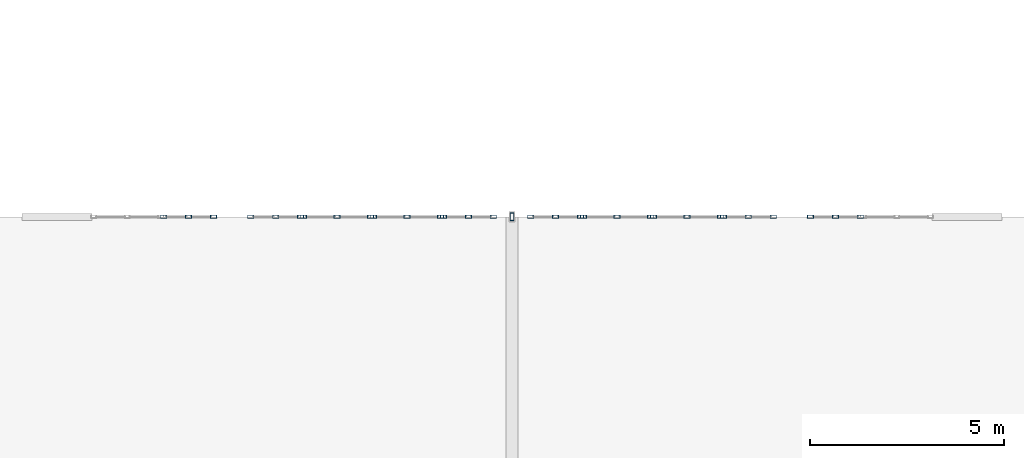
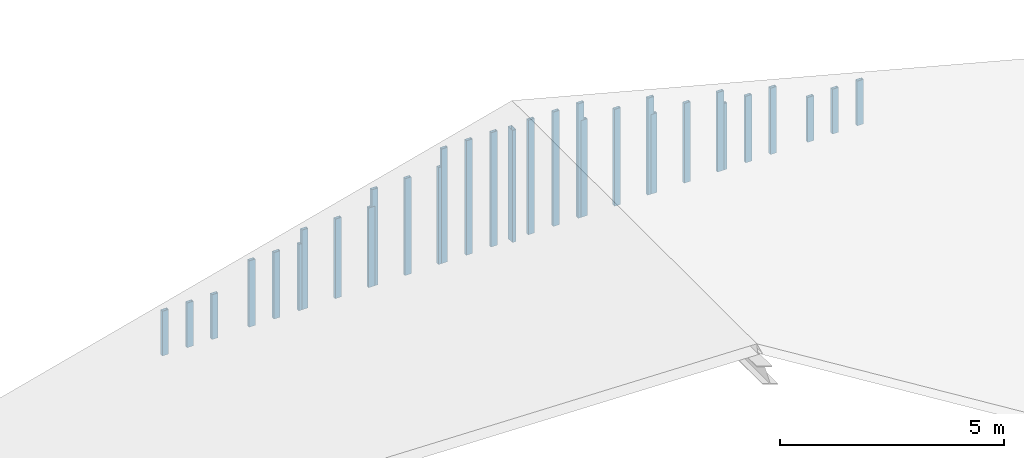
# One storey, part 14 of 76: 31 members, 10 elements without a shape of their own.
"""IFC4 building model written with IfcOpenShell, lengths in metres."""

import ifcopenshell
import ifcopenshell.guid

model = None  # the IFC model being written
_history = None  # IfcOwnerHistory: only IFC2X3 demands one
_inside = {}  # id of a spatial element -> (the spatial element, [elements in it])
_under = {}  # id of a project, library or spatial element -> (it, [spatial elements below it])
_declared = {}  # id of a project -> (the project, [libraries it declares])
_typed = {}  # id of a type object -> (the type object, [elements of that type])
_made_of = {}  # id of a material, layer set ... -> (it, [elements and type objects made of it])


def new_model(schema):
    """Start an empty IFC model of exactly this schema.

    Asked for "IFC4X3", IfcOpenShell would pick the latest addendum, in which some entities
    have other attributes; the version numbers below select the first issue.
    IFC2X3 requires an IfcOwnerHistory on every rooted entity: one is made here for all.
    """
    global model, _history
    if schema == "IFC4X3":
        model = ifcopenshell.file(schema_version=(4, 3, 0, 0))
    else:
        model = ifcopenshell.file(schema=schema)
    _inside.clear()
    _under.clear()
    _declared.clear()
    _typed.clear()
    _made_of.clear()
    _history = None
    if model.schema == "IFC2X3":
        org = make("IfcOrganization", Name="unknown")
        user = make(
            "IfcPersonAndOrganization",
            ThePerson=make("IfcPerson", FamilyName="unknown"),
            TheOrganization=org,
        )
        app = make(
            "IfcApplication",
            ApplicationDeveloper=org,
            Version="unknown",
            ApplicationFullName="unknown",
            ApplicationIdentifier="unknown",
        )
        _history = make(
            "IfcOwnerHistory",
            OwningUser=user,
            OwningApplication=app,
            ChangeAction="ADDED",
            CreationDate=0,
        )
    return model


def make(cls, **values):
    """One entity of the class cls with the attributes given. An attribute that is None is left unset."""
    return model.create_entity(
        cls, **{name: value for name, value in values.items() if value is not None}
    )


def rooted(cls, **values):
    """An entity with a GlobalId (a new one), such as an element, a storey or a relation."""
    return make(cls, GlobalId=ifcopenshell.guid.new(), OwnerHistory=_history, **values)


def si_unit(unit_type, name, prefix=None):
    """IfcSIUnit, for example si_unit("LENGTHUNIT", "METRE", prefix="MILLI")."""
    return make("IfcSIUnit", UnitType=unit_type, Prefix=prefix, Name=name)


def assignment(units):
    """IfcUnitAssignment: the units of a project."""
    return None if units is None else make("IfcUnitAssignment", Units=units)


def point(xyz):
    """IfcCartesianPoint."""
    return None if xyz is None else make("IfcCartesianPoint", Coordinates=xyz)


def direction(xyz):
    """IfcDirection."""
    return None if xyz is None else make("IfcDirection", DirectionRatios=xyz)


def frame(location, z_axis=None, x_axis=None):
    """IfcAxis2Placement3D, a coordinate frame: its origin and axes. An axis left out is left unset."""
    return make(
        "IfcAxis2Placement3D",
        Location=point(location),
        Axis=direction(z_axis),
        RefDirection=direction(x_axis),
    )


def frame_2d(location, x_axis=None):
    """IfcAxis2Placement2D, a coordinate frame in the plane: its origin and x axis."""
    return make(
        "IfcAxis2Placement2D", Location=point(location), RefDirection=direction(x_axis)
    )


def origin():
    """The frame at (0, 0, 0) with its axes left unset."""
    return frame((0.0, 0.0, 0.0))


def origin_2d():
    """The frame at (0, 0) in the plane with its x axis left unset."""
    return frame_2d((0.0, 0.0))


def place(relative_to, where):
    """IfcLocalPlacement: puts the frame where relative to a parent placement (None: the world)."""
    return make(
        "IfcLocalPlacement", PlacementRelTo=relative_to, RelativePlacement=where
    )


def context(
    kind, dimensions, precision=None, world=None, true_north=None, identifier=None
):
    """IfcGeometricRepresentationContext, for example the 3D "Model" context."""
    return make(
        "IfcGeometricRepresentationContext",
        ContextIdentifier=identifier,
        ContextType=kind,
        CoordinateSpaceDimension=dimensions,
        Precision=precision,
        WorldCoordinateSystem=world,
        TrueNorth=true_north,
    )


def subcontext(parent, identifier, kind, view, scale=None):
    """IfcGeometricRepresentationSubContext, for example "Body" below "Model"."""
    return make(
        "IfcGeometricRepresentationSubContext",
        ContextIdentifier=identifier,
        ContextType=kind,
        ParentContext=parent,
        TargetScale=scale,
        TargetView=view,
    )


def project(units=None, contexts=None):
    """IfcProject with its units and contexts."""
    return rooted(
        "IfcProject",
        Name="project",
        RepresentationContexts=contexts,
        UnitsInContext=assignment(units),
    )


def spatial(cls, under=None, at=None, **own):
    """A site, building, storey or space (cls), placed at a placement, below another one or the project."""
    s = rooted(cls, ObjectPlacement=at, **own)
    if under is not None:
        _under.setdefault(under.id(), (under, []))[1].append(s)
    return s


def profile(cls, at=None, kind="AREA", **sizes):
    """A parametric profile (cls). Its sizes go by their IFC names, for example OverallWidth=200.0."""
    return make(cls, ProfileType=kind, Position=at, **sizes)


def hollow_rectangle(**sizes):
    """IfcRectangleHollowProfileDef."""
    return profile("IfcRectangleHollowProfileDef", **sizes)


def extrude(swept, where, along, depth):
    """IfcExtrudedAreaSolid: the profile swept, set in the frame where, extruded along a direction by depth."""
    return make(
        "IfcExtrudedAreaSolid",
        SweptArea=swept,
        Position=where,
        ExtrudedDirection=direction(along),
        Depth=depth,
    )


def shape(context_of_items, identifier, shape_type, items):
    """IfcShapeRepresentation: the items that make up one representation, for example the "Body"."""
    return make(
        "IfcShapeRepresentation",
        ContextOfItems=context_of_items,
        RepresentationIdentifier=identifier,
        RepresentationType=shape_type,
        Items=items,
    )


def material(Name=None, Category=None):
    """IfcMaterial."""
    return make("IfcMaterial", Name=Name, Category=Category)


def layer(
    of_material, thickness, ventilated=None, Name=None, Category=None, Priority=None
):
    """IfcMaterialLayer: one layer of a wall or slab, of a material (None: an air gap)."""
    return make(
        "IfcMaterialLayer",
        Material=of_material,
        LayerThickness=thickness,
        IsVentilated=ventilated,
        Name=Name,
        Category=Category,
        Priority=Priority,
    )


def layer_set(layers, Name=None):
    """IfcMaterialLayerSet."""
    return make("IfcMaterialLayerSet", MaterialLayers=layers, LayerSetName=Name)


def material_profile(
    of_material, cross_section, Name=None, Category=None, Priority=None
):
    """IfcMaterialProfile: a cross section and its material."""
    return make(
        "IfcMaterialProfile",
        Name=Name,
        Material=of_material,
        Profile=cross_section,
        Priority=Priority,
        Category=Category,
    )


def profile_set(profiles, Name=None, composite=None):
    """IfcMaterialProfileSet."""
    return make(
        "IfcMaterialProfileSet",
        Name=Name,
        MaterialProfiles=profiles,
        CompositeProfile=composite,
    )


def made_of(thing, what):
    """Note that an element or type object is made of a material, layer set ...; save() writes the relation."""
    if what is not None:
        _made_of.setdefault(what.id(), (what, []))[1].append(thing)
    return thing


def type_object(cls, material=None, **own):
    """A type object (cls), such as IfcWallType, which elements share."""
    return made_of(rooted(cls, **own), material)


def element(
    cls,
    number,
    at=None,
    inside=None,
    cuts=None,
    type_object=None,
    material=None,
    context=None,
    identifier="Body",
    shape_type=None,
    held_by="IfcProductDefinitionShape",
    body=None,
    shapes=None,
    **own,
):
    """One element of the class cls, such as IfcWall. Its Tag is "e" and its number.

    at: its placement. inside: the storey or other place that contains it. cuts: it is an
    opening in that element (IfcRelVoidsElement). A single representation is given by context,
    identifier, shape_type and body (its items); several are given by shapes. held_by: the class
    of the entity that holds the representations. save() writes the other relations.
    """
    e = rooted(cls, Tag="e%d" % number, ObjectPlacement=at, **own)
    if body is not None:
        shapes = [shape(context, identifier, shape_type, body)]
    if shapes is not None:
        e.Representation = make(held_by, Representations=shapes)
    if inside is not None:
        _inside.setdefault(inside.id(), (inside, []))[1].append(e)
    if cuts is not None:
        rooted(
            "IfcRelVoidsElement", RelatingBuildingElement=cuts, RelatedOpeningElement=e
        )
    if type_object is not None:
        _typed.setdefault(type_object.id(), (type_object, []))[1].append(e)
    return made_of(e, material)


def aggregate(whole, parts):
    """IfcRelAggregates: a whole, such as a stair, and the parts it consists of."""
    return rooted("IfcRelAggregates", RelatingObject=whole, RelatedObjects=parts)


def save(model, path):
    """Write the relations noted so far, then the file.

    IfcRelAggregates (storeys below a building ...), IfcRelContainedInSpatialStructure (elements
    in a storey), IfcRelDefinesByType, IfcRelAssociatesMaterial and IfcRelDeclares: one each for
    every whole, place, type object, material and project.
    """
    for whole, parts in _under.values():
        aggregate(whole, parts)
    for where, things in _inside.values():
        rooted(
            "IfcRelContainedInSpatialStructure",
            RelatedElements=things,
            RelatingStructure=where,
        )
    for kind, things in _typed.values():
        rooted("IfcRelDefinesByType", RelatedObjects=things, RelatingType=kind)
    for what, things in _made_of.values():
        rooted("IfcRelAssociatesMaterial", RelatedObjects=things, RelatingMaterial=what)
    for by, libraries in _declared.values():
        rooted("IfcRelDeclares", RelatingContext=by, RelatedDefinitions=libraries)
    model.write(path)


model = new_model("IFC4")

# Units and contexts
model_context = context("Model", 3, precision=1e-05, world=origin(), true_north=direction((0.0, 1.0)))
body_context = subcontext(model_context, "Body", "Model", "MODEL_VIEW")
ifc_project = project(units=[si_unit("LENGTHUNIT", "METRE"), si_unit("AREAUNIT", "SQUARE_METRE"), si_unit("VOLUMEUNIT", "CUBIC_METRE"), si_unit("PLANEANGLEUNIT", "RADIAN"), si_unit("MASSUNIT", "GRAM", prefix="KILO"), si_unit("THERMODYNAMICTEMPERATUREUNIT", "KELVIN"), si_unit("POWERUNIT", "WATT")], contexts=[model_context])

# Site, building, storey
site_placement = place(None, origin())
site = spatial("IfcSite", under=ifc_project, at=site_placement, CompositionType="ELEMENT")
building_placement = place(site_placement, origin())
building = spatial("IfcBuilding", under=site, at=building_placement, Name="Kaldorven Railside Theatre", CompositionType="ELEMENT")
storey_placement = place(building_placement, frame((0.0, 0.0, 14.39990234375)))
storey = spatial("IfcBuildingStorey", under=building, at=storey_placement, Name="L03", CompositionType="ELEMENT", Elevation=14.39990234375)

# Curtain wall, members
ifc_material_1 = material(Name="Low-E laminated solar-control glass", Category="glass")
ifc_layer_1 = layer(ifc_material_1, 0.159912109375, Name="Low-E laminated solar-control glass")
ifc_layer_set_1 = layer_set([ifc_layer_1], Name="Low-E laminated solar-control glass")
curtain_wall_type_1 = type_object("IfcCurtainWallType", Name="CWT-61", PredefinedType="USERDEFINED", material=ifc_layer_set_1)
curtain_wall_1_placement = place(storey_placement, origin())
curtain_wall_1 = element("IfcCurtainWall", 1, at=curtain_wall_1_placement, inside=storey, type_object=curtain_wall_type_1, Name="Studio North Gable Clerestory CWG-127", ObjectType="FLUTED GLAZING", PredefinedType="USERDEFINED")
ifc_material_2 = material(Name="Anodised bronze aluminium", Category="aluminium")
ifc_material_profile_1 = material_profile(ifc_material_2, hollow_rectangle(XDim=0.080078125, YDim=0.159912109375, WallThickness=0.00634765625, at=origin_2d()), Name="RHS 160x80x6.3")
ifc_profile_set_1 = profile_set([ifc_material_profile_1], Name="Anodised bronze aluminium")
member_type_1 = type_object("IfcMemberType", Name="CWM-160", PredefinedType="MULLION", material=ifc_profile_set_1)
member_1_placement = place(storey_placement, frame((13.43994140625, 48.0, 0.02001953125), z_axis=(0.0, 0.0, 1.0), x_axis=(0.0, 1.0, 0.0)))
member_1 = element("IfcMember", 2, at=member_1_placement, type_object=member_type_1, Name="CWG-127 mullion 1", PredefinedType="MULLION", context=body_context, shape_type="SweptSolid", body=[
    extrude(hollow_rectangle(XDim=0.080078125, YDim=0.159912109375, WallThickness=0.00634765625, at=origin_2d()), origin(), (0.0, 0.0, 1.0), 1.219970703125),
])
member_2_placement = place(storey_placement, frame((14.080078125, 48.0, 0.02001953125), z_axis=(0.0, 0.0, 1.0), x_axis=(0.0, 1.0, 0.0)))
member_2 = element("IfcMember", 3, at=member_2_placement, type_object=member_type_1, Name="CWG-127 mullion 2", PredefinedType="MULLION", context=body_context, shape_type="SweptSolid", body=[
    extrude(hollow_rectangle(XDim=0.080078125, YDim=0.159912109375, WallThickness=0.00634765625, at=origin_2d()), origin(), (0.0, 0.0, 1.0), 1.219970703125),
])
member_3_placement = place(storey_placement, frame((14.719970703125, 48.0, 0.02001953125), z_axis=(0.0, 0.0, 1.0), x_axis=(0.0, 1.0, 0.0)))
member_3 = element("IfcMember", 4, at=member_3_placement, type_object=member_type_1, Name="CWG-127 mullion 3", PredefinedType="MULLION", context=body_context, shape_type="SweptSolid", body=[
    extrude(hollow_rectangle(XDim=0.080078125, YDim=0.159912109375, WallThickness=0.00634765625, at=origin_2d()), origin(), (0.0, 0.0, 1.0), 1.219970703125),
])
aggregate(curtain_wall_1, [member_1, member_2, member_3])

ifc_layer_2 = layer(ifc_material_1, 0.159912109375, Name="Low-E laminated solar-control glass")
ifc_layer_set_2 = layer_set([ifc_layer_2], Name="Low-E laminated solar-control glass")
curtain_wall_type_2 = type_object("IfcCurtainWallType", Name="CWT-62", PredefinedType="USERDEFINED", material=ifc_layer_set_2)
curtain_wall_2_placement = place(storey_placement, origin())
curtain_wall_2 = element("IfcCurtainWall", 5, at=curtain_wall_2_placement, inside=storey, type_object=curtain_wall_type_2, Name="Studio North Gable Clerestory CWG-128", ObjectType="FLUTED GLAZING", PredefinedType="USERDEFINED")
member_4_placement = place(storey_placement, frame((15.679931640625, 48.0, 0.02001953125), z_axis=(0.0, 0.0, 1.0), x_axis=(0.0, 1.0, 0.0)))
member_4 = element("IfcMember", 6, at=member_4_placement, type_object=member_type_1, Name="CWG-128 mullion 1", PredefinedType="MULLION", context=body_context, shape_type="SweptSolid", body=[
    extrude(hollow_rectangle(XDim=0.080078125, YDim=0.159912109375, WallThickness=0.00634765625, at=origin_2d()), origin(), (0.0, 0.0, 1.0), 1.81005859375),
])
member_5_placement = place(storey_placement, frame((16.320068359375, 48.0, 0.02001953125), z_axis=(0.0, 0.0, 1.0), x_axis=(0.0, 1.0, 0.0)))
member_5 = element("IfcMember", 7, at=member_5_placement, type_object=member_type_1, Name="CWG-128 mullion 2", PredefinedType="MULLION", context=body_context, shape_type="SweptSolid", body=[
    extrude(hollow_rectangle(XDim=0.080078125, YDim=0.159912109375, WallThickness=0.00634765625, at=origin_2d()), origin(), (0.0, 0.0, 1.0), 1.81005859375),
])
member_6_placement = place(storey_placement, frame((16.9599609375, 48.0, 0.02001953125), z_axis=(0.0, 0.0, 1.0), x_axis=(0.0, 1.0, 0.0)))
member_6 = element("IfcMember", 8, at=member_6_placement, type_object=member_type_1, Name="CWG-128 mullion 3", PredefinedType="MULLION", context=body_context, shape_type="SweptSolid", body=[
    extrude(hollow_rectangle(XDim=0.080078125, YDim=0.159912109375, WallThickness=0.00634765625, at=origin_2d()), origin(), (0.0, 0.0, 1.0), 1.81005859375),
])
aggregate(curtain_wall_2, [member_4, member_5, member_6])

ifc_layer_3 = layer(ifc_material_1, 0.159912109375, Name="Low-E laminated solar-control glass")
ifc_layer_set_3 = layer_set([ifc_layer_3], Name="Low-E laminated solar-control glass")
curtain_wall_type_3 = type_object("IfcCurtainWallType", Name="CWT-63", PredefinedType="USERDEFINED", material=ifc_layer_set_3)
curtain_wall_3_placement = place(storey_placement, origin())
curtain_wall_3 = element("IfcCurtainWall", 9, at=curtain_wall_3_placement, inside=storey, type_object=curtain_wall_type_3, Name="Studio North Gable Clerestory CWG-129", ObjectType="FLUTED GLAZING", PredefinedType="USERDEFINED")
member_7_placement = place(storey_placement, frame((17.0400390625, 48.0, 0.02001953125), z_axis=(0.0, 0.0, 1.0), x_axis=(0.0, 1.0, 0.0)))
member_7 = element("IfcMember", 10, at=member_7_placement, type_object=member_type_1, Name="CWG-129 mullion 1", PredefinedType="MULLION", context=body_context, shape_type="SweptSolid", body=[
    extrude(hollow_rectangle(XDim=0.080078125, YDim=0.159912109375, WallThickness=0.00634765625, at=origin_2d()), origin(), (0.0, 0.0, 1.0), 2.170166015625),
])
member_8_placement = place(storey_placement, frame((17.89990234375, 48.0, 0.02001953125), z_axis=(0.0, 0.0, 1.0), x_axis=(0.0, 1.0, 0.0)))
member_8 = element("IfcMember", 11, at=member_8_placement, type_object=member_type_1, Name="CWG-129 mullion 2", PredefinedType="MULLION", context=body_context, shape_type="SweptSolid", body=[
    extrude(hollow_rectangle(XDim=0.080078125, YDim=0.159912109375, WallThickness=0.00634765625, at=origin_2d()), origin(), (0.0, 0.0, 1.0), 2.170166015625),
])
member_9_placement = place(storey_placement, frame((18.760009765625, 48.0, 0.02001953125), z_axis=(0.0, 0.0, 1.0), x_axis=(0.0, 1.0, 0.0)))
member_9 = element("IfcMember", 12, at=member_9_placement, type_object=member_type_1, Name="CWG-129 mullion 3", PredefinedType="MULLION", context=body_context, shape_type="SweptSolid", body=[
    extrude(hollow_rectangle(XDim=0.080078125, YDim=0.159912109375, WallThickness=0.00634765625, at=origin_2d()), origin(), (0.0, 0.0, 1.0), 2.170166015625),
])
aggregate(curtain_wall_3, [member_7, member_8, member_9])

ifc_layer_4 = layer(ifc_material_1, 0.159912109375, Name="Low-E laminated solar-control glass")
ifc_layer_set_4 = layer_set([ifc_layer_4], Name="Low-E laminated solar-control glass")
curtain_wall_type_4 = type_object("IfcCurtainWallType", Name="CWT-64", PredefinedType="USERDEFINED", material=ifc_layer_set_4)
curtain_wall_4_placement = place(storey_placement, origin())
curtain_wall_4 = element("IfcCurtainWall", 13, at=curtain_wall_4_placement, inside=storey, type_object=curtain_wall_type_4, Name="Studio North Gable Clerestory CWG-130", ObjectType="FLUTED GLAZING", PredefinedType="USERDEFINED")
member_10_placement = place(storey_placement, frame((18.840087890625, 48.0, 0.02001953125), z_axis=(0.0, 0.0, 1.0), x_axis=(0.0, 1.0, 0.0)))
member_10 = element("IfcMember", 14, at=member_10_placement, type_object=member_type_1, Name="CWG-130 mullion 1", PredefinedType="MULLION", context=body_context, shape_type="SweptSolid", body=[
    extrude(hollow_rectangle(XDim=0.080078125, YDim=0.159912109375, WallThickness=0.00634765625, at=origin_2d()), origin(), (0.0, 0.0, 1.0), 2.64013671875),
])
member_11_placement = place(storey_placement, frame((19.699951171875, 48.0, 0.02001953125), z_axis=(0.0, 0.0, 1.0), x_axis=(0.0, 1.0, 0.0)))
member_11 = element("IfcMember", 15, at=member_11_placement, type_object=member_type_1, Name="CWG-130 mullion 2", PredefinedType="MULLION", context=body_context, shape_type="SweptSolid", body=[
    extrude(hollow_rectangle(XDim=0.080078125, YDim=0.159912109375, WallThickness=0.00634765625, at=origin_2d()), origin(), (0.0, 0.0, 1.0), 2.64013671875),
])
member_12_placement = place(storey_placement, frame((20.56005859375, 48.0, 0.02001953125), z_axis=(0.0, 0.0, 1.0), x_axis=(0.0, 1.0, 0.0)))
member_12 = element("IfcMember", 16, at=member_12_placement, type_object=member_type_1, Name="CWG-130 mullion 3", PredefinedType="MULLION", context=body_context, shape_type="SweptSolid", body=[
    extrude(hollow_rectangle(XDim=0.080078125, YDim=0.159912109375, WallThickness=0.00634765625, at=origin_2d()), origin(), (0.0, 0.0, 1.0), 2.64013671875),
])
aggregate(curtain_wall_4, [member_10, member_11, member_12])

ifc_layer_5 = layer(ifc_material_1, 0.159912109375, Name="Low-E laminated solar-control glass")
ifc_layer_set_5 = layer_set([ifc_layer_5], Name="Low-E laminated solar-control glass")
curtain_wall_type_5 = type_object("IfcCurtainWallType", Name="CWT-66", PredefinedType="USERDEFINED", material=ifc_layer_set_5)
curtain_wall_5_placement = place(storey_placement, origin())
curtain_wall_5 = element("IfcCurtainWall", 17, at=curtain_wall_5_placement, inside=storey, type_object=curtain_wall_type_5, Name="Studio North Gable Clerestory CWG-131", ObjectType="FLUTED GLAZING", PredefinedType="USERDEFINED")
member_13_placement = place(storey_placement, frame((20.639892578125, 48.0, 0.02001953125), z_axis=(0.0, 0.0, 1.0), x_axis=(0.0, 1.0, 0.0)))
member_13 = element("IfcMember", 18, at=member_13_placement, type_object=member_type_1, Name="CWG-131 mullion 1", PredefinedType="MULLION", context=body_context, shape_type="SweptSolid", body=[
    extrude(hollow_rectangle(XDim=0.080078125, YDim=0.159912109375, WallThickness=0.00634765625, at=origin_2d()), origin(), (0.0, 0.0, 1.0), 3.1201171875),
])
member_14_placement = place(storey_placement, frame((21.280029296875, 48.0, 0.02001953125), z_axis=(0.0, 0.0, 1.0), x_axis=(0.0, 1.0, 0.0)))
member_14 = element("IfcMember", 19, at=member_14_placement, type_object=member_type_1, Name="CWG-131 mullion 2", PredefinedType="MULLION", context=body_context, shape_type="SweptSolid", body=[
    extrude(hollow_rectangle(XDim=0.080078125, YDim=0.159912109375, WallThickness=0.00634765625, at=origin_2d()), origin(), (0.0, 0.0, 1.0), 3.1201171875),
])
member_15_placement = place(storey_placement, frame((21.919921875, 48.0, 0.02001953125), z_axis=(0.0, 0.0, 1.0), x_axis=(0.0, 1.0, 0.0)))
member_15 = element("IfcMember", 20, at=member_15_placement, type_object=member_type_1, Name="CWG-131 mullion 3", PredefinedType="MULLION", context=body_context, shape_type="SweptSolid", body=[
    extrude(hollow_rectangle(XDim=0.080078125, YDim=0.159912109375, WallThickness=0.00634765625, at=origin_2d()), origin(), (0.0, 0.0, 1.0), 3.1201171875),
])
aggregate(curtain_wall_5, [member_13, member_14, member_15])

curtain_wall_6_placement = place(storey_placement, origin())
curtain_wall_6 = element("IfcCurtainWall", 21, at=curtain_wall_6_placement, inside=storey, type_object=curtain_wall_type_5, Name="Studio North Gable Clerestory CWG-132", ObjectType="FLUTED GLAZING", PredefinedType="USERDEFINED")
member_16_placement = place(storey_placement, frame((22.8798828125, 48.0, 0.02001953125), z_axis=(0.0, 0.0, 1.0), x_axis=(0.0, 1.0, 0.0)))
member_16 = element("IfcMember", 22, at=member_16_placement, type_object=member_type_1, Name="CWG-132 mullion 1", PredefinedType="MULLION", context=body_context, shape_type="SweptSolid", body=[
    extrude(hollow_rectangle(XDim=0.080078125, YDim=0.159912109375, WallThickness=0.00634765625, at=origin_2d()), origin(), (0.0, 0.0, 1.0), 3.1201171875),
])
member_17_placement = place(storey_placement, frame((23.52001953125, 48.0, 0.02001953125), z_axis=(0.0, 0.0, 1.0), x_axis=(0.0, 1.0, 0.0)))
member_17 = element("IfcMember", 23, at=member_17_placement, type_object=member_type_1, Name="CWG-132 mullion 2", PredefinedType="MULLION", context=body_context, shape_type="SweptSolid", body=[
    extrude(hollow_rectangle(XDim=0.080078125, YDim=0.159912109375, WallThickness=0.00634765625, at=origin_2d()), origin(), (0.0, 0.0, 1.0), 3.1201171875),
])
member_18_placement = place(storey_placement, frame((24.159912109375, 48.0, 0.02001953125), z_axis=(0.0, 0.0, 1.0), x_axis=(0.0, 1.0, 0.0)))
member_18 = element("IfcMember", 24, at=member_18_placement, type_object=member_type_1, Name="CWG-132 mullion 3", PredefinedType="MULLION", context=body_context, shape_type="SweptSolid", body=[
    extrude(hollow_rectangle(XDim=0.080078125, YDim=0.159912109375, WallThickness=0.00634765625, at=origin_2d()), origin(), (0.0, 0.0, 1.0), 3.1201171875),
])
aggregate(curtain_wall_6, [member_16, member_17, member_18])

curtain_wall_7_placement = place(storey_placement, origin())
curtain_wall_7 = element("IfcCurtainWall", 25, at=curtain_wall_7_placement, inside=storey, type_object=curtain_wall_type_4, Name="Studio North Gable Clerestory CWG-133", ObjectType="FLUTED GLAZING", PredefinedType="USERDEFINED")
member_19_placement = place(storey_placement, frame((24.239990234375, 48.0, 0.02001953125), z_axis=(0.0, 0.0, 1.0), x_axis=(0.0, 1.0, 0.0)))
member_19 = element("IfcMember", 26, at=member_19_placement, type_object=member_type_1, Name="CWG-133 mullion 1", PredefinedType="MULLION", context=body_context, shape_type="SweptSolid", body=[
    extrude(hollow_rectangle(XDim=0.080078125, YDim=0.159912109375, WallThickness=0.00634765625, at=origin_2d()), origin(), (0.0, 0.0, 1.0), 2.64013671875),
])
member_20_placement = place(storey_placement, frame((25.10009765625, 48.0, 0.02001953125), z_axis=(0.0, 0.0, 1.0), x_axis=(0.0, 1.0, 0.0)))
member_20 = element("IfcMember", 27, at=member_20_placement, type_object=member_type_1, Name="CWG-133 mullion 2", PredefinedType="MULLION", context=body_context, shape_type="SweptSolid", body=[
    extrude(hollow_rectangle(XDim=0.080078125, YDim=0.159912109375, WallThickness=0.00634765625, at=origin_2d()), origin(), (0.0, 0.0, 1.0), 2.64013671875),
])
member_21_placement = place(storey_placement, frame((25.9599609375, 48.0, 0.02001953125), z_axis=(0.0, 0.0, 1.0), x_axis=(0.0, 1.0, 0.0)))
member_21 = element("IfcMember", 28, at=member_21_placement, type_object=member_type_1, Name="CWG-133 mullion 3", PredefinedType="MULLION", context=body_context, shape_type="SweptSolid", body=[
    extrude(hollow_rectangle(XDim=0.080078125, YDim=0.159912109375, WallThickness=0.00634765625, at=origin_2d()), origin(), (0.0, 0.0, 1.0), 2.64013671875),
])
aggregate(curtain_wall_7, [member_19, member_20, member_21])

curtain_wall_8_placement = place(storey_placement, origin())
curtain_wall_8 = element("IfcCurtainWall", 29, at=curtain_wall_8_placement, inside=storey, type_object=curtain_wall_type_3, Name="Studio North Gable Clerestory CWG-134", ObjectType="FLUTED GLAZING", PredefinedType="USERDEFINED")
member_22_placement = place(storey_placement, frame((26.0400390625, 48.0, 0.02001953125), z_axis=(0.0, 0.0, 1.0), x_axis=(0.0, 1.0, 0.0)))
member_22 = element("IfcMember", 30, at=member_22_placement, type_object=member_type_1, Name="CWG-134 mullion 1", PredefinedType="MULLION", context=body_context, shape_type="SweptSolid", body=[
    extrude(hollow_rectangle(XDim=0.080078125, YDim=0.159912109375, WallThickness=0.00634765625, at=origin_2d()), origin(), (0.0, 0.0, 1.0), 2.170166015625),
])
member_23_placement = place(storey_placement, frame((26.89990234375, 48.0, 0.02001953125), z_axis=(0.0, 0.0, 1.0), x_axis=(0.0, 1.0, 0.0)))
member_23 = element("IfcMember", 31, at=member_23_placement, type_object=member_type_1, Name="CWG-134 mullion 2", PredefinedType="MULLION", context=body_context, shape_type="SweptSolid", body=[
    extrude(hollow_rectangle(XDim=0.080078125, YDim=0.159912109375, WallThickness=0.00634765625, at=origin_2d()), origin(), (0.0, 0.0, 1.0), 2.170166015625),
])
member_24_placement = place(storey_placement, frame((27.760009765625, 48.0, 0.02001953125), z_axis=(0.0, 0.0, 1.0), x_axis=(0.0, 1.0, 0.0)))
member_24 = element("IfcMember", 32, at=member_24_placement, type_object=member_type_1, Name="CWG-134 mullion 3", PredefinedType="MULLION", context=body_context, shape_type="SweptSolid", body=[
    extrude(hollow_rectangle(XDim=0.080078125, YDim=0.159912109375, WallThickness=0.00634765625, at=origin_2d()), origin(), (0.0, 0.0, 1.0), 2.170166015625),
])
aggregate(curtain_wall_8, [member_22, member_23, member_24])

curtain_wall_9_placement = place(storey_placement, origin())
curtain_wall_9 = element("IfcCurtainWall", 33, at=curtain_wall_9_placement, inside=storey, type_object=curtain_wall_type_2, Name="Studio North Gable Clerestory CWG-135", ObjectType="FLUTED GLAZING", PredefinedType="USERDEFINED")
member_25_placement = place(storey_placement, frame((27.840087890625, 48.0, 0.02001953125), z_axis=(0.0, 0.0, 1.0), x_axis=(0.0, 1.0, 0.0)))
member_25 = element("IfcMember", 34, at=member_25_placement, type_object=member_type_1, Name="CWG-135 mullion 1", PredefinedType="MULLION", context=body_context, shape_type="SweptSolid", body=[
    extrude(hollow_rectangle(XDim=0.080078125, YDim=0.159912109375, WallThickness=0.00634765625, at=origin_2d()), origin(), (0.0, 0.0, 1.0), 1.81005859375),
])
member_26_placement = place(storey_placement, frame((28.47998046875, 48.0, 0.02001953125), z_axis=(0.0, 0.0, 1.0), x_axis=(0.0, 1.0, 0.0)))
member_26 = element("IfcMember", 35, at=member_26_placement, type_object=member_type_1, Name="CWG-135 mullion 2", PredefinedType="MULLION", context=body_context, shape_type="SweptSolid", body=[
    extrude(hollow_rectangle(XDim=0.080078125, YDim=0.159912109375, WallThickness=0.00634765625, at=origin_2d()), origin(), (0.0, 0.0, 1.0), 1.81005859375),
])
member_27_placement = place(storey_placement, frame((29.1201171875, 48.0, 0.02001953125), z_axis=(0.0, 0.0, 1.0), x_axis=(0.0, 1.0, 0.0)))
member_27 = element("IfcMember", 36, at=member_27_placement, type_object=member_type_1, Name="CWG-135 mullion 3", PredefinedType="MULLION", context=body_context, shape_type="SweptSolid", body=[
    extrude(hollow_rectangle(XDim=0.080078125, YDim=0.159912109375, WallThickness=0.00634765625, at=origin_2d()), origin(), (0.0, 0.0, 1.0), 1.81005859375),
])
aggregate(curtain_wall_9, [member_25, member_26, member_27])

curtain_wall_10_placement = place(storey_placement, origin())
curtain_wall_10 = element("IfcCurtainWall", 37, at=curtain_wall_10_placement, inside=storey, type_object=curtain_wall_type_1, Name="Studio North Gable Clerestory CWG-136", ObjectType="FLUTED GLAZING", PredefinedType="USERDEFINED")
member_28_placement = place(storey_placement, frame((30.080078125, 48.0, 0.02001953125), z_axis=(0.0, 0.0, 1.0), x_axis=(0.0, 1.0, 0.0)))
member_28 = element("IfcMember", 38, at=member_28_placement, type_object=member_type_1, Name="CWG-136 mullion 1", PredefinedType="MULLION", context=body_context, shape_type="SweptSolid", body=[
    extrude(hollow_rectangle(XDim=0.080078125, YDim=0.159912109375, WallThickness=0.00634765625, at=origin_2d()), origin(), (0.0, 0.0, 1.0), 1.219970703125),
])
member_29_placement = place(storey_placement, frame((30.719970703125, 48.0, 0.02001953125), z_axis=(0.0, 0.0, 1.0), x_axis=(0.0, 1.0, 0.0)))
member_29 = element("IfcMember", 39, at=member_29_placement, type_object=member_type_1, Name="CWG-136 mullion 2", PredefinedType="MULLION", context=body_context, shape_type="SweptSolid", body=[
    extrude(hollow_rectangle(XDim=0.080078125, YDim=0.159912109375, WallThickness=0.00634765625, at=origin_2d()), origin(), (0.0, 0.0, 1.0), 1.219970703125),
])
member_30_placement = place(storey_placement, frame((31.360107421875, 48.0, 0.02001953125), z_axis=(0.0, 0.0, 1.0), x_axis=(0.0, 1.0, 0.0)))
member_30 = element("IfcMember", 40, at=member_30_placement, type_object=member_type_1, Name="CWG-136 mullion 3", PredefinedType="MULLION", context=body_context, shape_type="SweptSolid", body=[
    extrude(hollow_rectangle(XDim=0.080078125, YDim=0.159912109375, WallThickness=0.00634765625, at=origin_2d()), origin(), (0.0, 0.0, 1.0), 1.219970703125),
])
aggregate(curtain_wall_10, [member_28, member_29, member_30])

# Member
ifc_material_3 = material(Name="Steel S355", Category="steel")
ifc_material_profile_2 = material_profile(ifc_material_3, hollow_rectangle(XDim=0.10009765625, YDim=0.199951171875, WallThickness=0.008056640625, at=origin_2d()), Name="RHS 200x100x8")
ifc_profile_set_2 = profile_set([ifc_material_profile_2], Name="Steel S355")
member_type_2 = type_object("IfcMemberType", Name="MEM-RHS200", PredefinedType="STRUT", material=ifc_profile_set_2)
member_31_placement = place(storey_placement, frame((22.39990234375, 48.0, 0.0), z_axis=(0.0, 0.0, 1.0), x_axis=(1.0, 0.0, 0.0)))
element("IfcMember", 41, at=member_31_placement, inside=storey, type_object=member_type_2, Name="Studio Pitched Roof Gable Ridge Post", PredefinedType="STRUT", context=body_context, shape_type="SweptSolid", body=[
    extrude(hollow_rectangle(XDim=0.10009765625, YDim=0.199951171875, WallThickness=0.008056640625, at=origin_2d()), origin(), (0.0, 0.0, 1.0), 3.055908203125),
])

save(model, "model.ifc")
